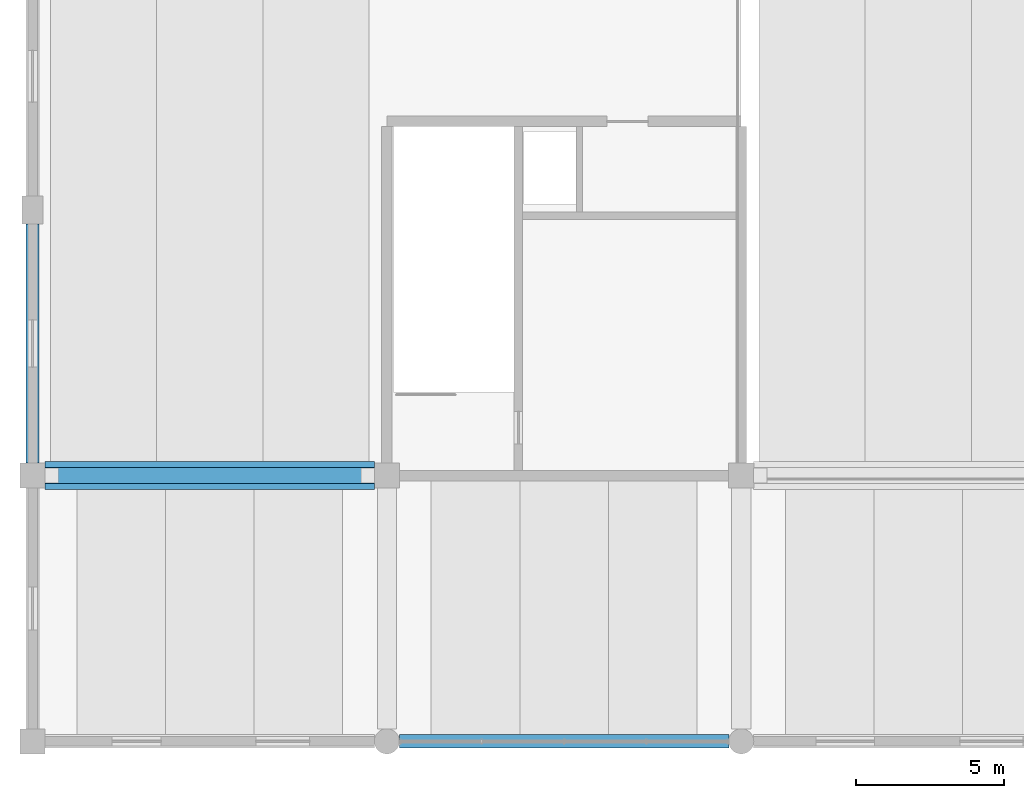
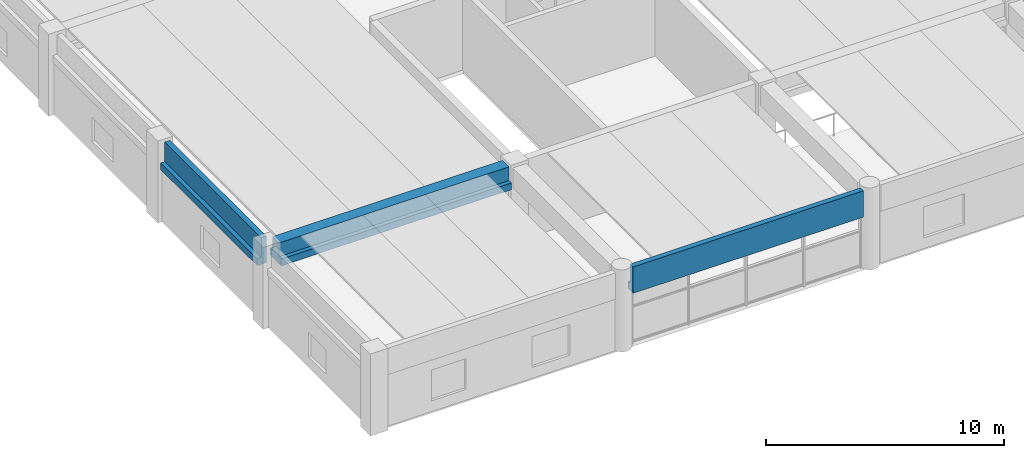
# One storey, part 3 of 50: 3 beams.
"""IFC4 building model written with IfcOpenShell, lengths in metres."""

from ifc_helpers import new_model, si_unit, direction, frame, origin, place, context, subcontext, project, spatial, polyline, outline, extrude, material, material_profile, profile_set, type_object, element, save


model = new_model("IFC4")

# Units and contexts
model_context = context("Model", 3, precision=1e-05, world=origin(), true_north=direction((0.0, 1.0)))
body_context = subcontext(model_context, "Body", "Model", "MODEL_VIEW")
ifc_project = project(units=[si_unit("LENGTHUNIT", "METRE"), si_unit("AREAUNIT", "SQUARE_METRE"), si_unit("VOLUMEUNIT", "CUBIC_METRE"), si_unit("PLANEANGLEUNIT", "RADIAN"), si_unit("MASSUNIT", "GRAM", prefix="KILO")], contexts=[model_context])

# Site, building, storey
site_placement = place(None, origin())
site = spatial("IfcSite", under=ifc_project, at=site_placement, CompositionType="ELEMENT")
building_placement = place(site_placement, origin())
building = spatial("IfcBuilding", under=site, at=building_placement, Name="Girod Span Mobility Hub", CompositionType="ELEMENT")
storey_placement = place(building_placement, frame((0.0, 0.0, 5.39990234375)))
storey = spatial("IfcBuildingStorey", under=building, at=storey_placement, Name="L01", CompositionType="ELEMENT", Elevation=5.39990234375)

# Beams
ifc_material_1 = material(Name="Concrete C50/60", Category="concrete")
ifc_material_profile_1 = material_profile(ifc_material_1, outline(polyline([(-0.47509765625, -0.52490234375), (0.47509765625, -0.52490234375), (0.47509765625, -0.175048828125), (0.27490234375, -0.175048828125), (0.27490234375, 0.52490234375), (-0.27490234375, 0.52490234375), (-0.27490234375, -0.175048828125), (-0.47509765625, -0.175048828125), (-0.47509765625, -0.52490234375)])), Name="IT-950X1050")
ifc_profile_set_1 = profile_set([ifc_material_profile_1], Name="Concrete C50/60")
beam_type_1 = type_object("IfcBeamType", Name="BM-IT-950X1050", PredefinedType="T_BEAM", material=ifc_profile_set_1)
beam_1_placement = place(storey_placement, frame((0.422119140625, 9.0, 3.51513671875), z_axis=(1.0, 0.0, 0.0), x_axis=(0.0, 1.0, 0.0)))
element("IfcBeam", 1, at=beam_1_placement, inside=storey, type_object=beam_type_1, Name="Girder 1-2/B L01", PredefinedType="T_BEAM", context=body_context, shape_type="SweptSolid", body=[
    extrude(outline(polyline([(-0.47509765625, -0.52490234375), (0.47509765625, -0.52490234375), (0.47509765625, -0.175048828125), (0.27490234375, -0.175048828125), (0.27490234375, 0.52490234375), (-0.27490234375, 0.52490234375), (-0.27490234375, -0.175048828125), (-0.47509765625, -0.175048828125), (-0.47509765625, -0.52490234375)])), origin(), (0.0, 0.0, 1.0), 11.15576171875),
])
ifc_material_2 = material(Name="Concrete C40/50", Category="concrete")
ifc_material_profile_2 = material_profile(ifc_material_2, outline(polyline([(-0.22509765625, -0.675048828125), (0.22509765625, -0.675048828125), (0.22509765625, -0.324951171875), (0.02490234375, -0.324951171875), (0.02490234375, 0.675048828125), (-0.22509765625, 0.675048828125), (-0.22509765625, -0.675048828125)])), Name="SP-450X1350")
ifc_profile_set_2 = profile_set([ifc_material_profile_2], Name="Concrete C40/50")
beam_type_2 = type_object("IfcBeamType", Name="BM-SP-450X1350", PredefinedType="SPANDREL", material=ifc_profile_set_2)
beam_2_placement = place(storey_placement, frame((12.422119140625, 0.0, 3.364990234375), z_axis=(1.0, 0.0, 0.0), x_axis=(0.0, 1.0, 0.0)))
element("IfcBeam", 2, at=beam_2_placement, inside=storey, type_object=beam_type_2, Name="Girder 2-3/A L01", PredefinedType="SPANDREL", context=body_context, shape_type="SweptSolid", body=[
    extrude(outline(polyline([(-0.22509765625, -0.675048828125), (0.22509765625, -0.675048828125), (0.22509765625, -0.324951171875), (0.02490234375, -0.324951171875), (0.02490234375, 0.675048828125), (-0.22509765625, 0.675048828125), (-0.22509765625, -0.675048828125)])), origin(), (0.0, 0.0, 1.0), 11.15576171875),
])
beam_3_placement = place(storey_placement, frame((0.0, 9.422119140625, 3.364990234375), z_axis=(0.0, 1.0, 0.0), x_axis=(-1.0, 0.0, 0.0)))
element("IfcBeam", 3, at=beam_3_placement, inside=storey, type_object=beam_type_2, Name="Perimeter Spandrel 1/B-S L01", PredefinedType="SPANDREL", context=body_context, shape_type="SweptSolid", body=[
    extrude(outline(polyline([(-0.22509765625, -0.675048828125), (0.22509765625, -0.675048828125), (0.22509765625, -0.324951171875), (0.02490234375, -0.324951171875), (0.02490234375, 0.675048828125), (-0.22509765625, 0.675048828125), (-0.22509765625, -0.675048828125)])), origin(), (0.0, 0.0, 1.0), 8.10595703125),
])

save(model, "model.ifc")
